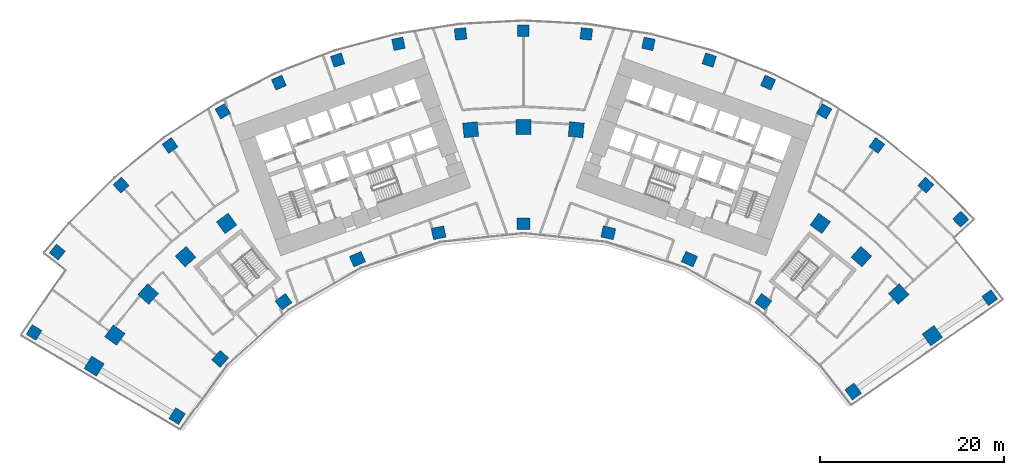
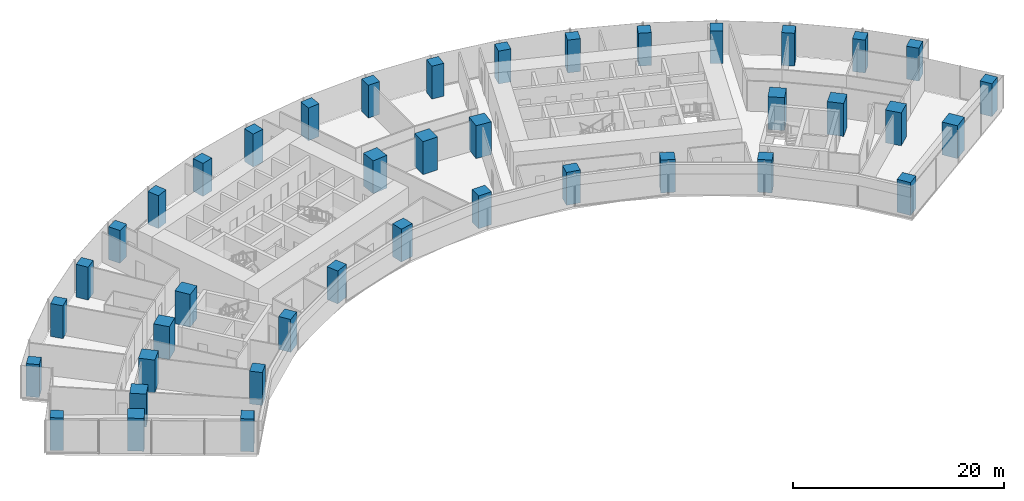
# One storey, part 1 of 21: 41 columns.
"""IFC4 building model written with IfcOpenShell, lengths in metres."""

from ifc_helpers import new_model, si_unit, direction, frame, origin, origin_2d, place, context, subcontext, project, spatial, rectangle, extrude, material, material_profile, profile_set, type_object, element, save


model = new_model("IFC4")

# Units and contexts
model_context = context("Model", 3, precision=1e-05, world=origin(), true_north=direction((0.0, 1.0)))
body_context = subcontext(model_context, "Body", "Model", "MODEL_VIEW")
ifc_project = project(units=[si_unit("LENGTHUNIT", "METRE"), si_unit("AREAUNIT", "SQUARE_METRE"), si_unit("VOLUMEUNIT", "CUBIC_METRE"), si_unit("PLANEANGLEUNIT", "RADIAN"), si_unit("MASSUNIT", "GRAM", prefix="KILO")], contexts=[model_context])

# Site, building, storey
site_placement = place(None, origin())
site = spatial("IfcSite", under=ifc_project, at=site_placement, CompositionType="ELEMENT")
building_placement = place(site_placement, origin())
building = spatial("IfcBuilding", under=site, at=building_placement, Name="Stone Belt Terrace Tower", CompositionType="ELEMENT")
storey_placement = place(building_placement, frame((0.0, 0.0, 60.39990234375)))
storey = spatial("IfcBuildingStorey", under=building, at=storey_placement, Name="L14", CompositionType="ELEMENT", Elevation=60.39990234375)

# Columns
ifc_material = material(Name="Concrete B80", Category="concrete")
ifc_material_profile_1 = material_profile(ifc_material, rectangle(XDim=1.25, YDim=1.25, at=origin_2d()), Name="RC 1250x1250")
ifc_profile_set_1 = profile_set([ifc_material_profile_1], Name="Concrete B80")
column_type_1 = type_object("IfcColumnType", Name="Column RC 1250x1250 B80", PredefinedType="COLUMN", material=ifc_profile_set_1)
for number, where, z_axis, x_axis, name in (
    (1, (-53.30078125, 32.6171875, 0.0), (0.0, 0.0, 1.0), (0.521967198123, 0.852965558556, 0.0), "Column L14 RA"),
    (2, (50.789794921875, 36.40380859375, 0.0), (0.0, 0.0, 1.0), (0.582565651933, -0.81278364968, 0.0), "Column L14 RB"),
    (3, (-50.7646484375, 41.373046875, 0.0), (0.0, 0.0, 1.0), (0.631758757508, 0.775165061333, 0.0), "Column L14 RNA"),
    (4, (-43.820556640625, 48.667724609375, 0.0), (0.0, 0.0, 1.0), (0.743144825477, 0.669130606359, 0.0), "Column L14 R15"),
    (5, (-38.493408203125, 52.981689453125, 0.0), (0.0, 0.0, 1.0), (0.809016994375, 0.587785252292, 0.0), "Column L14 R16"),
    (6, (-32.744384765625, 56.715087890625, 0.0), (0.0, 0.0, 1.0), (0.866025403784, 0.5, 0.0), "Column L14 R17"),
    (7, (-26.63671875, 59.8271484375, 0.0), (0.0, 0.0, 1.0), (0.913545457643, 0.406736643076, 0.0), "Column L14 R18"),
    (8, (-20.2373046875, 62.28369140625, 0.0), (0.0, 0.0, 1.0), (0.951056516295, 0.309016994375, 0.0), "Column L14 R19"),
    (9, (-13.615966796875, 64.057861328125, 0.0), (0.0, 0.0, 1.0), (0.978147600734, 0.207911690818, 0.0), "Column L14 R20"),
    (10, (-6.845458984375, 65.130126953125, 0.0), (0.0, 0.0, 1.0), (0.994521895368, 0.104528463268, 0.0), "Column L14 R21"),
    (11, (0.0, 65.489013671875, 0.0), (0.0, 0.0, 1.0), (1.0, 0.0, 0.0), "Column L14 R22"),
    (12, (6.845458984375, 65.130126953125, 0.0), (0.0, 0.0, 1.0), (0.994521895368, -0.104528463268, 0.0), "Column L14 R23"),
    (13, (13.615966796875, 64.057861328125, 0.0), (0.0, 0.0, 1.0), (0.978147600734, -0.207911690818, 0.0), "Column L14 R24"),
    (14, (20.2373046875, 62.28369140625, 0.0), (0.0, 0.0, 1.0), (0.951056516295, -0.309016994375, 0.0), "Column L14 R25"),
    (15, (26.63671875, 59.8271484375, 0.0), (0.0, 0.0, 1.0), (0.913545457643, -0.406736643076, 0.0), "Column L14 R26"),
    (16, (32.744384765625, 56.715087890625, 0.0), (0.0, 0.0, 1.0), (0.866025403784, -0.5, 0.0), "Column L14 R27"),
    (17, (38.493408203125, 52.981689453125, 0.0), (0.0, 0.0, 1.0), (0.809016994375, -0.587785252292, 0.0), "Column L14 R28"),
    (18, (43.820556640625, 48.667724609375, 0.0), (0.0, 0.0, 1.0), (0.743144825477, -0.669130606359, 0.0), "Column L14 R29"),
    (19, (47.624267578125, 44.952392578125, 0.0), (0.0, 0.0, 1.0), (0.686413848344, -0.727211130829, 0.0), "Column L14 RNB"),
):
    element("IfcColumn", number, at=place(storey_placement, frame(where, z_axis=z_axis, x_axis=x_axis)), inside=storey, type_object=column_type_1, Name=name, PredefinedType="COLUMN", context=body_context, shape_type="SweptSolid", body=[
        extrude(rectangle(XDim=1.25, YDim=1.25, at=origin_2d()), origin(), (0.0, 0.0, 1.0), 3.800048828125),
    ])
ifc_material_profile_2 = material_profile(ifc_material, rectangle(XDim=1.39990234375, YDim=1.25, at=origin_2d()), Name="RC 1400x1250")
ifc_profile_set_2 = profile_set([ifc_material_profile_2], Name="Concrete B80")
column_type_2 = type_object("IfcColumnType", Name="Column RC 1400x1250 B80", PredefinedType="COLUMN", material=ifc_profile_set_2)
for number, where, z_axis, x_axis, name in (
    (20, (-37.718017578125, 23.510009765625, 0.0), (0.0, 0.0, 1.0), (0.528967211548, 0.84864226215, 0.0), "Column L14 PA"),
    (21, (-33.029052734375, 29.739501953125, 0.0), (0.0, 0.0, 1.0), (0.669130606359, 0.743144825477, 0.0), "Column L14 P14"),
    (22, (-26.1240234375, 35.956787109375, 0.0), (0.0, 0.0, 1.0), (0.809016994375, 0.587785252292, 0.0), "Column L14 P16"),
    (23, (-18.077392578125, 40.6025390625, 0.0), (0.0, 0.0, 1.0), (0.913545457643, 0.406736643076, 0.0), "Column L14 P18"),
    (24, (-9.240478515625, 43.473876953125, 0.0), (0.0, 0.0, 1.0), (0.978147600734, 0.207911690818, 0.0), "Column L14 P20"),
    (25, (0.0, 44.445068359375, 0.0), (0.0, 0.0, 1.0), (1.0, 0.0, 0.0), "Column L14 P22"),
    (26, (9.240478515625, 43.473876953125, 0.0), (0.0, 0.0, 1.0), (0.978147600734, -0.207911690818, 0.0), "Column L14 P24"),
    (27, (18.077392578125, 40.6025390625, 0.0), (0.0, 0.0, 1.0), (0.913545457643, -0.406736643076, 0.0), "Column L14 P26"),
    (28, (26.1240234375, 35.956787109375, 0.0), (0.0, 0.0, 1.0), (0.809016994375, -0.587785252292, 0.0), "Column L14 P28"),
    (29, (35.909912109375, 26.1884765625, 0.0), (0.0, 0.0, 1.0), (0.589233022165, -0.807963146184, 0.0), "Column L14 PB"),
):
    element("IfcColumn", number, at=place(storey_placement, frame(where, z_axis=z_axis, x_axis=x_axis)), inside=storey, type_object=column_type_2, Name=name, PredefinedType="COLUMN", context=body_context, shape_type="SweptSolid", body=[
        extrude(rectangle(XDim=1.39990234375, YDim=1.25, at=origin_2d()), origin(), (0.0, 0.0, 1.0), 3.800048828125),
    ])
ifc_material_profile_3 = material_profile(ifc_material, rectangle(XDim=1.60009765625, YDim=1.60009765625, at=origin_2d()), Name="RC 1600x1600")
ifc_profile_set_3 = profile_set([ifc_material_profile_3], Name="Concrete B80")
column_type_3 = type_object("IfcColumnType", Name="Column RC 1600x1600 B80", PredefinedType="COLUMN", material=ifc_profile_set_3)
for number, where, z_axis, x_axis, name in (
    (30, (-46.763671875, 28.951171875, 0.0), (0.0, 0.0, 1.0), (0.526383105721, 0.850247508677, 0.0), "Column L14 QA"),
    (31, (-44.495849609375, 32.328125, 0.0), (0.0, 0.0, 1.0), (0.587785252292, 0.809016994375, 0.0), "Column L14 Q13"),
    (32, (-40.873046875, 36.80224609375, 0.0), (0.0, 0.0, 1.0), (0.669130606359, 0.743144825477, 0.0), "Column L14 Q14"),
    (33, (-36.80224609375, 40.873046875, 0.0), (0.0, 0.0, 1.0), (0.743144825477, 0.669130606359, 0.0), "Column L14 Q15"),
    (34, (-32.328125, 44.495849609375, 0.0), (0.0, 0.0, 1.0), (0.809016994375, 0.587785252292, 0.0), "Column L14 Q16"),
    (35, (-5.7490234375, 54.69873046875, 0.0), (0.0, 0.0, 1.0), (0.994521895368, 0.104528463268, 0.0), "Column L14 Q21"),
    (36, (0.0, 55.0, 0.0), (0.0, 0.0, 1.0), (1.0, 0.0, 0.0), "Column L14 Q22"),
    (37, (5.7490234375, 54.69873046875, 0.0), (0.0, 0.0, 1.0), (0.994521895368, -0.104528463268, 0.0), "Column L14 Q23"),
    (38, (32.328125, 44.495849609375, 0.0), (0.0, 0.0, 1.0), (0.809016994375, -0.587785252292, 0.0), "Column L14 Q28"),
    (39, (36.80224609375, 40.873046875, 0.0), (0.0, 0.0, 1.0), (0.743144825477, -0.669130606359, 0.0), "Column L14 Q29"),
    (40, (40.873046875, 36.80224609375, 0.0), (0.0, 0.0, 1.0), (0.669130606359, -0.743144825477, 0.0), "Column L14 Q30"),
    (41, (44.536376953125, 32.272705078125, 0.0), (0.0, 0.0, 1.0), (0.586773800867, -0.809750891704, 0.0), "Column L14 QB"),
):
    element("IfcColumn", number, at=place(storey_placement, frame(where, z_axis=z_axis, x_axis=x_axis)), inside=storey, type_object=column_type_3, Name=name, PredefinedType="COLUMN", context=body_context, shape_type="SweptSolid", body=[
        extrude(rectangle(XDim=1.60009765625, YDim=1.60009765625, at=origin_2d()), origin(), (0.0, 0.0, 1.0), 3.800048828125),
    ])

save(model, "model.ifc")
